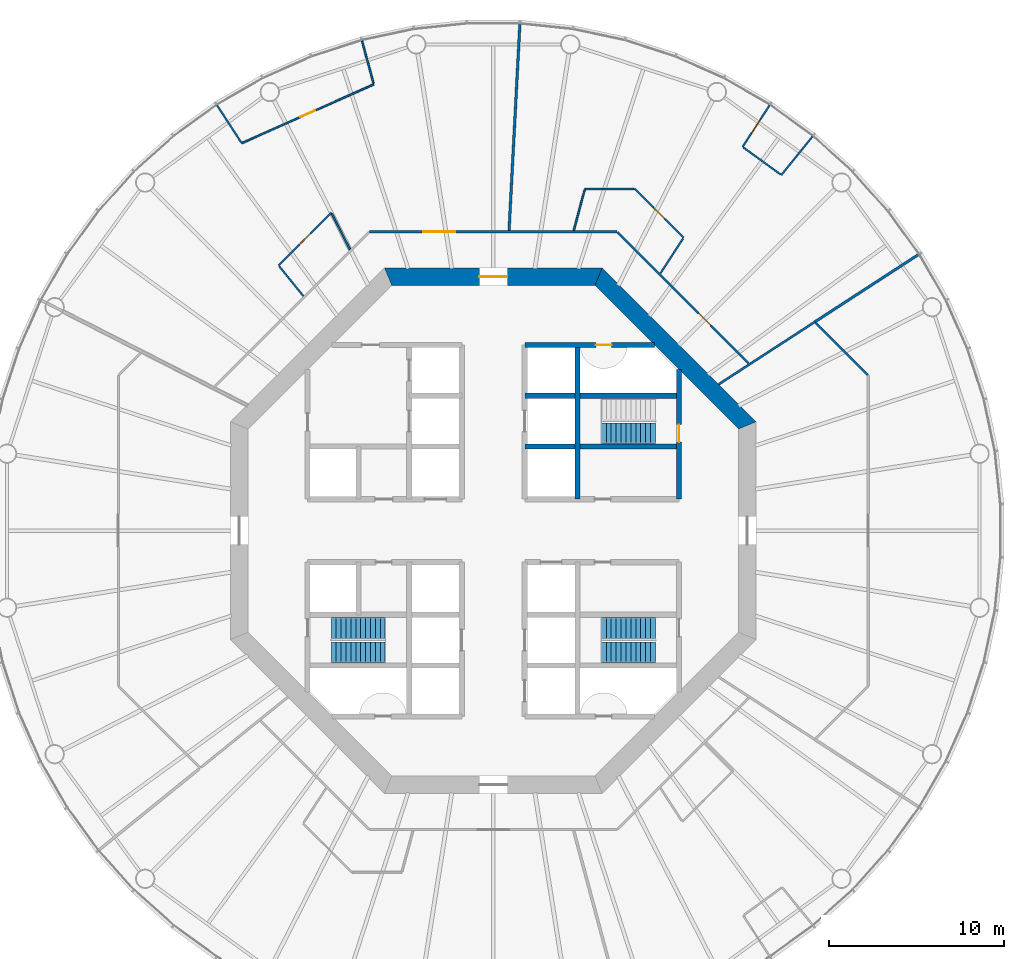
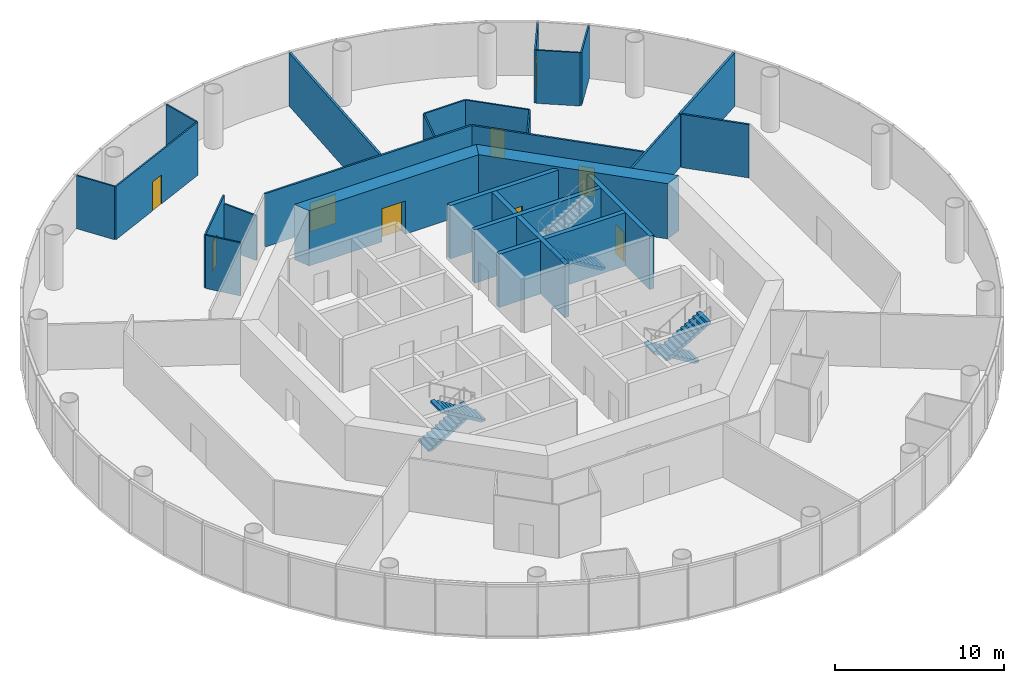
# One storey, part 5 of 13: 26 walls, 9 doors, 5 stair flights, 9 openings, 3 elements without a shape of their own.
"""IFC4 building model written with IfcOpenShell, lengths in metres."""

from ifc_helpers import new_model, si_unit, direction, frame, frame_2d, origin, place, context, subcontext, project, spatial, polyline, rectangle, outline, extrude, material, layer, layer_set, type_object, element, fill, aggregate, save


model = new_model("IFC4")

# Units and contexts
model_context = context("Model", 3, precision=1e-05, world=origin(), true_north=direction((0.0, 1.0)))
body_context = subcontext(model_context, "Body", "Model", "MODEL_VIEW")
ifc_project = project(units=[si_unit("LENGTHUNIT", "METRE"), si_unit("AREAUNIT", "SQUARE_METRE"), si_unit("VOLUMEUNIT", "CUBIC_METRE"), si_unit("PLANEANGLEUNIT", "RADIAN"), si_unit("MASSUNIT", "GRAM", prefix="KILO")], contexts=[model_context])

# Site, building, storey
site_placement = place(None, origin())
site = spatial("IfcSite", under=ifc_project, at=site_placement, CompositionType="ELEMENT")
building_placement = place(site_placement, origin())
building = spatial("IfcBuilding", under=site, at=building_placement, Name="Entoto Ring Tower", CompositionType="ELEMENT")
storey_placement = place(building_placement, frame((0.0, 0.0, 168.0)))
storey = spatial("IfcBuildingStorey", under=building, at=storey_placement, Name="L38", CompositionType="ELEMENT", Elevation=168.0)

# Wall, opening, door
ifc_material_1 = material(Name="Concrete C40/50", Category="concrete")
ifc_layer_1 = layer(ifc_material_1, 0.300048828125)
ifc_layer_set_1 = layer_set([ifc_layer_1], Name="Concrete C40/50")
wall_type_1 = type_object("IfcWallType", Name="Core enclosure wall 300 mm reinforced concrete", PredefinedType="SOLIDWALL", material=ifc_layer_set_1)
wall_1_placement = place(storey_placement, frame((100.60009765625, 81.800048828125, 0.0), z_axis=(0.0, 0.0, 1.0), x_axis=(0.0, 1.0, 0.0)))
wall_1 = element("IfcWall", 1, at=wall_1_placement, inside=storey, type_object=wall_type_1, Name="wall-L38-002", PredefinedType="SOLIDWALL", context=body_context, shape_type="SweptSolid", body=[
    extrude(rectangle(XDim=7.39892578125, YDim=0.300048828125, at=frame_2d((3.699462890625, 0.0))), origin(), (0.0, 0.0, 1.0), 3.85009765625),
])
opening_1_placement = place(wall_1_placement, frame((3.25, 0.0, 0.0)))
opening_1 = element("IfcOpeningElement", 2, at=opening_1_placement, cuts=wall_1, Name="Opening K-52", PredefinedType="OPENING", context=body_context, shape_type="SweptSolid", body=[
    extrude(rectangle(XDim=1.0, YDim=2.10009765625, at=frame_2d((0.5, 1.050048828125))), frame((0.0, 0.16015625, 0.0), z_axis=(0.0, -1.0, 0.0), x_axis=(1.0, 0.0, 0.0)), (0.0, 0.0, 1.0), 0.320068359375),
])
ifc_material_2 = material(Name="Steel door leaf, fire rated", Category="steel")
ifc_layer_2 = layer(ifc_material_2, 0.050048828125)
ifc_layer_set_2 = layer_set([ifc_layer_2], Name="Steel door leaf, fire rated")
door_type_1 = type_object("IfcDoorType", Name="Fire door FD60 1000 x 2100 single leaf", OperationType="NOTDEFINED", PredefinedType="DOOR", material=ifc_layer_set_2)
door_1_placement = place(opening_1_placement, origin())
door_1 = element("IfcDoor", 3, at=door_1_placement, inside=storey, type_object=door_type_1, Name="Door K-52", OperationType="SINGLE_SWING_LEFT", OverallHeight=2.10009765625, OverallWidth=1.0, PredefinedType="DOOR", context=body_context, shape_type="SweptSolid", body=[
    extrude(rectangle(XDim=1.0, YDim=2.10009765625, at=frame_2d((0.5, 1.050048828125))), frame((0.0, 0.02490234375, 0.0), z_axis=(0.0, -1.0, 0.0), x_axis=(1.0, 0.0, 0.0)), (0.0, 0.0, 1.0), 0.050048828125),
])
fill(opening_1, door_1)

# Walls
for number, where, z_axis, x_axis, name in (
    (4, (94.800048828125, 81.800048828125, 0.0), (0.0, 0.0, 1.0), (0.0, 1.0, 0.0), "wall-L38-004"),
    (5, (91.800048828125, 84.800048828125, 0.0), (0.0, 0.0, 1.0), (1.0, 0.0, 0.0), "wall-L38-026"),
    (6, (91.800048828125, 87.699951171875, 0.0), (0.0, 0.0, 1.0), (1.0, 0.0, 0.0), "wall-L38-028"),
):
    element("IfcWall", number, at=place(storey_placement, frame(where, z_axis=z_axis, x_axis=x_axis)), inside=storey, type_object=wall_type_1, Name=name, PredefinedType="SOLIDWALL", context=body_context, shape_type="SweptSolid", body=[
        extrude(rectangle(XDim=8.800048828125, YDim=0.300048828125, at=frame_2d((4.39990234375, 0.0))), origin(), (0.0, 0.0, 1.0), 3.85009765625),
    ])

# Wall, opening, door
wall_2_placement = place(storey_placement, frame((91.800048828125, 90.60009765625, 0.0), z_axis=(0.0, 0.0, 1.0), x_axis=(1.0, 0.0, 0.0)))
wall_2 = element("IfcWall", 7, at=wall_2_placement, inside=storey, type_object=wall_type_1, Name="wall-L38-030", PredefinedType="SOLIDWALL", context=body_context, shape_type="SweptSolid", body=[
    extrude(rectangle(XDim=7.39892578125, YDim=0.300048828125, at=frame_2d((3.699462890625, 0.0))), origin(), (0.0, 0.0, 1.0), 3.85009765625),
])
opening_2_placement = place(wall_2_placement, frame((4.050048828125, 0.0, 0.0)))
opening_2 = element("IfcOpeningElement", 8, at=opening_2_placement, cuts=wall_2, Name="Opening K-60", PredefinedType="OPENING", context=body_context, shape_type="SweptSolid", body=[
    extrude(rectangle(XDim=0.89990234375, YDim=2.10009765625, at=frame_2d((0.449951171875, 1.050048828125))), frame((0.0, 0.16015625, 0.0), z_axis=(0.0, -1.0, 0.0), x_axis=(1.0, 0.0, 0.0)), (0.0, 0.0, 1.0), 0.320068359375),
])
ifc_material_3 = material(Name="Steel door leaf, fire rated", Category="steel")
ifc_layer_3 = layer(ifc_material_3, 0.050048828125)
ifc_layer_set_3 = layer_set([ifc_layer_3], Name="Steel door leaf, fire rated")
door_type_2 = type_object("IfcDoorType", Name="Riser door FD60 900 x 2100 single leaf", OperationType="NOTDEFINED", PredefinedType="DOOR", material=ifc_layer_set_3)
door_2_placement = place(opening_2_placement, frame((0.89990234375, 0.0, 0.0), z_axis=(0.0, 0.0, 1.0), x_axis=(-1.0, 0.0, 0.0)))
door_2 = element("IfcDoor", 9, at=door_2_placement, inside=storey, type_object=door_type_2, Name="Door K-60", OperationType="SINGLE_SWING_RIGHT", OverallHeight=2.10009765625, OverallWidth=0.89990234375, PredefinedType="DOOR", context=body_context, shape_type="SweptSolid", body=[
    extrude(rectangle(XDim=0.89990234375, YDim=2.10009765625, at=frame_2d((0.449951171875, 1.050048828125))), frame((0.0, 0.02490234375, 0.0), z_axis=(0.0, -1.0, 0.0), x_axis=(1.0, 0.0, 0.0)), (0.0, 0.0, 1.0), 0.050048828125),
])
fill(opening_2, door_2)

# Wall
ifc_material_4 = material(Name="Concrete C50/60", Category="concrete")
ifc_layer_4 = layer(ifc_material_4, 1.0)
ifc_layer_set_4 = layer_set([ifc_layer_4], Name="Concrete C50/60")
wall_type_2 = type_object("IfcWallType", Name="Core shear wall 1000 mm reinforced concrete C50/60", PredefinedType="SHEAR", material=ifc_layer_set_4)
wall_3_placement = place(storey_placement, frame((104.5, 86.006103515625, 0.0), z_axis=(0.0, 0.0, 1.0), x_axis=(-0.707106781187, 0.707106781187, 0.0)))
element("IfcWall", 10, at=wall_3_placement, inside=storey, type_object=wall_type_2, Name="wall-L38-core-1", PredefinedType="SHEAR", context=body_context, shape_type="SweptSolid", body=[
    extrude(outline(polyline([(-0.20703125, -0.5), (12.21923828125, -0.5), (11.80517578125, 0.5), (0.20703125, 0.5), (-0.20703125, -0.5)])), origin(), (0.0, 0.0, 1.0), 4.0),
])

# Wall, opening, door
wall_4_placement = place(storey_placement, frame((96.006103515625, 94.5, 0.0), z_axis=(0.0, 0.0, 1.0), x_axis=(-1.0, 0.0, 0.0)))
wall_4 = element("IfcWall", 11, at=wall_4_placement, inside=storey, type_object=wall_type_2, Name="wall-L38-core-2", PredefinedType="SHEAR", context=body_context, shape_type="SweptSolid", body=[
    extrude(outline(polyline([(-0.20703125, -0.5), (12.21923828125, -0.5), (11.80517578125, 0.5), (0.20703125, 0.5), (-0.20703125, -0.5)])), origin(), (0.0, 0.0, 1.0), 4.0),
])
opening_3_placement = place(wall_4_placement, frame((5.2060546875, 0.0, 0.0)))
opening_3 = element("IfcOpeningElement", 12, at=opening_3_placement, cuts=wall_4, Name="Opening K-02", PredefinedType="OPENING", context=body_context, shape_type="SweptSolid", body=[
    extrude(rectangle(XDim=1.60009765625, YDim=2.39990234375, at=frame_2d((0.800048828125, 1.199951171875))), frame((0.0, 0.510009765625, 0.0), z_axis=(0.0, -1.0, 0.0), x_axis=(1.0, 0.0, 0.0)), (0.0, 0.0, 1.0), 1.02001953125),
])
ifc_material_5 = material(Name="Steel door leaf, fire rated", Category="steel")
ifc_layer_5 = layer(ifc_material_5, 0.050048828125)
ifc_layer_set_5 = layer_set([ifc_layer_5], Name="Steel door leaf, fire rated")
door_type_3 = type_object("IfcDoorType", Name="Entrance door FD60 1600 x 2400 double leaf", OperationType="DOUBLE_DOOR_SINGLE_SWING", PredefinedType="DOOR", material=ifc_layer_set_5)
door_3_placement = place(opening_3_placement, origin())
door_3 = element("IfcDoor", 13, at=door_3_placement, inside=storey, type_object=door_type_3, Name="Entrance door K-02", OperationType="DOUBLE_DOOR_SINGLE_SWING", OverallHeight=2.39990234375, OverallWidth=1.60009765625, PredefinedType="DOOR", context=body_context, shape_type="SweptSolid", body=[
    extrude(rectangle(XDim=1.60009765625, YDim=2.39990234375, at=frame_2d((0.800048828125, 1.199951171875))), frame((0.0, 0.02490234375, 0.0), z_axis=(0.0, -1.0, 0.0), x_axis=(1.0, 0.0, 0.0)), (0.0, 0.0, 1.0), 0.050048828125),
])
fill(opening_3, door_3)

ifc_material_6 = material(Name="Fire-resisting plasterboard on steel studs", Category="steel")
ifc_layer_6 = layer(ifc_material_6, 0.125)
ifc_layer_set_6 = layer_set([ifc_layer_6], Name="Fire-resisting plasterboard on steel studs")
wall_type_3 = type_object("IfcWallType", Name="Corridor wall 125 mm one-hour plasterboard on steel studs", PredefinedType="PARTITIONING", material=ifc_layer_set_6)
wall_5_placement = place(storey_placement, frame((82.9326171875, 97.0625, 0.0), z_axis=(0.0, 0.0, 1.0), x_axis=(1.0, 0.0, 0.0)))
wall_5 = element("IfcWall", 14, at=wall_5_placement, inside=storey, type_object=wall_type_3, Name="partition-L38-004", PredefinedType="PARTITIONING", context=body_context, shape_type="SweptSolid", body=[
    extrude(rectangle(XDim=14.134765625, YDim=0.125, at=frame_2d((7.0673828125, 0.0))), origin(), (0.0, 0.0, 1.0), 3.85009765625),
])
opening_4_placement = place(wall_5_placement, frame((3.080810546875, 0.0, 0.0)))
opening_4 = element("IfcOpeningElement", 15, at=opening_4_placement, cuts=wall_5, Name="Opening A17-D06", PredefinedType="OPENING", context=body_context, shape_type="SweptSolid", body=[
    extrude(rectangle(XDim=1.800048828125, YDim=2.10009765625, at=frame_2d((0.89990234375, 1.050048828125))), frame((0.0, 0.072509765625, 0.0), z_axis=(0.0, -1.0, 0.0), x_axis=(1.0, 0.0, 0.0)), (0.0, 0.0, 1.0), 0.14501953125),
])
ifc_material_7 = material(Name="Fire-resisting timber door set", Category="wood")
door_type_4 = type_object("IfcDoorType", Name="Door 1800 x 2100 double leaf FD30S fire door", OperationType="DOUBLE_DOOR_SINGLE_SWING", PredefinedType="DOOR", material=ifc_material_7)
door_4_placement = place(opening_4_placement, origin())
door_4 = element("IfcDoor", 16, at=door_4_placement, inside=storey, type_object=door_type_4, Name="Door A17-D06", OperationType="DOUBLE_DOOR_SINGLE_SWING", OverallHeight=2.10009765625, OverallWidth=1.800048828125, PredefinedType="DOOR", context=body_context, shape_type="SweptSolid", body=[
    extrude(rectangle(XDim=1.800048828125, YDim=2.10009765625, at=frame_2d((0.89990234375, 1.050048828125))), frame((0.0, 0.02490234375, 0.0), z_axis=(0.0, -1.0, 0.0), x_axis=(1.0, 0.0, 0.0)), (0.0, 0.0, 1.0), 0.050048828125),
])
fill(opening_4, door_4)

wall_6_placement = place(storey_placement, frame((104.574951171875, 89.554931640625, 0.0), z_axis=(0.0, 0.0, 1.0), x_axis=(-0.707095235926, 0.707118326258, 0.0)))
wall_6 = element("IfcWall", 17, at=wall_6_placement, inside=storey, type_object=wall_type_3, Name="partition-L38-007", PredefinedType="PARTITIONING", context=body_context, shape_type="SweptSolid", body=[
    extrude(rectangle(XDim=10.5732421875, YDim=0.125, at=frame_2d((5.28662109375, 0.0))), origin(), (0.0, 0.0, 1.0), 3.85009765625),
])
opening_5_placement = place(wall_6_placement, frame((3.0498046875, 0.0, 0.0)))
opening_5 = element("IfcOpeningElement", 18, at=opening_5_placement, cuts=wall_6, Name="Opening A17-D03", PredefinedType="OPENING", context=body_context, shape_type="SweptSolid", body=[
    extrude(rectangle(XDim=1.0, YDim=2.10009765625, at=frame_2d((0.5, 1.050048828125))), frame((0.0, 0.072509765625, 0.0), z_axis=(0.0, -1.0, 0.0), x_axis=(1.0, 0.0, 0.0)), (0.0, 0.0, 1.0), 0.14501953125),
])
ifc_material_8 = material(Name="Fire-resisting timber door set", Category="wood")
door_type_5 = type_object("IfcDoorType", Name="Door 1000 x 2100 single leaf FD30S fire door", OperationType="NOTDEFINED", PredefinedType="DOOR", material=ifc_material_8)
door_5_placement = place(opening_5_placement, frame((1.0, 0.0, 0.0), z_axis=(0.0, 0.0, 1.0), x_axis=(-1.0, 0.0, 0.0)))
door_5 = element("IfcDoor", 19, at=door_5_placement, inside=storey, type_object=door_type_5, Name="Door A17-D03", OperationType="SINGLE_SWING_LEFT", OverallHeight=2.10009765625, OverallWidth=1.0, PredefinedType="DOOR", context=body_context, shape_type="SweptSolid", body=[
    extrude(rectangle(XDim=1.0, YDim=2.10009765625, at=frame_2d((0.5, 1.050048828125))), frame((0.0, 0.02490234375, 0.0), z_axis=(0.0, -1.0, 0.0), x_axis=(1.0, 0.0, 0.0)), (0.0, 0.0, 1.0), 0.050048828125),
])
fill(opening_5, door_5)

# Walls
wall_7_placement = place(storey_placement, frame((102.861083984375, 88.35205078125, 0.0), z_axis=(0.0, 0.0, 1.0), x_axis=(0.838666042477, 0.544646003561, 0.0)))
element("IfcWall", 20, at=wall_7_placement, inside=storey, type_object=wall_type_3, Name="partition-L38-011", PredefinedType="PARTITIONING", context=body_context, shape_type="SweptSolid", body=[
    extrude(rectangle(XDim=6.543212890625, YDim=0.125, at=frame_2d((3.271484375, 0.0))), origin(), (0.0, 0.0, 1.0), 3.85009765625),
])
wall_8_placement = place(storey_placement, frame((111.368896484375, 88.895263671875, 0.0), z_axis=(0.0, 0.0, 1.0), x_axis=(-0.707106781187, 0.707106781187, 0.0)))
element("IfcWall", 21, at=wall_8_placement, inside=storey, type_object=wall_type_3, Name="partition-L38-015", PredefinedType="PARTITIONING", context=body_context, shape_type="SweptSolid", body=[
    extrude(rectangle(XDim=4.181640625, YDim=0.125, at=frame_2d((2.0908203125, 0.0))), origin(), (0.0, 0.0, 1.0), 3.85009765625),
])

# Wall, opening, door
ifc_material_9 = material(Name="Plasterboard on steel studs", Category="steel")
ifc_layer_7 = layer(ifc_material_9, 0.10009765625)
ifc_layer_set_7 = layer_set([ifc_layer_7], Name="Plasterboard on steel studs")
wall_type_4 = type_object("IfcWallType", Name="Partition 100 mm plasterboard on steel studs", PredefinedType="PARTITIONING", material=ifc_layer_set_7)
wall_9_placement = place(storey_placement, frame((75.637939453125, 102.11572265625, 0.0), z_axis=(0.0, 0.0, 1.0), x_axis=(0.913541661289, 0.40674516972, 0.0)))
wall_9 = element("IfcWall", 22, at=wall_9_placement, inside=storey, type_object=wall_type_4, Name="partition-L38-023", PredefinedType="PARTITIONING", context=body_context, shape_type="SweptSolid", body=[
    extrude(rectangle(XDim=8.250244140625, YDim=0.10009765625, at=frame_2d((4.125, 0.0))), origin(), (0.0, 0.0, 1.0), 3.85009765625),
])
opening_6_placement = place(wall_9_placement, frame((3.67529296875, 0.0, 0.0)))
opening_6 = element("IfcOpeningElement", 23, at=opening_6_placement, cuts=wall_9, Name="Opening A17-D08", PredefinedType="OPENING", context=body_context, shape_type="SweptSolid", body=[
    extrude(rectangle(XDim=0.89990234375, YDim=2.10009765625, at=frame_2d((0.449951171875, 1.050048828125))), frame((0.0, 0.06005859375, 0.0), z_axis=(0.0, -1.0, 0.0), x_axis=(1.0, 0.0, 0.0)), (0.0, 0.0, 1.0), 0.1201171875),
])
ifc_material_10 = material(Name="Veneered timber door leaf in timber frame", Category="wood")
door_type_6 = type_object("IfcDoorType", Name="Door 900 x 2100 single leaf timber veneer", OperationType="NOTDEFINED", PredefinedType="DOOR", material=ifc_material_10)
door_6_placement = place(opening_6_placement, origin())
door_6 = element("IfcDoor", 24, at=door_6_placement, inside=storey, type_object=door_type_6, Name="Door A17-D08", OperationType="SINGLE_SWING_RIGHT", OverallHeight=2.10009765625, OverallWidth=0.89990234375, PredefinedType="DOOR", context=body_context, shape_type="SweptSolid", body=[
    extrude(rectangle(XDim=0.89990234375, YDim=2.10009765625, at=frame_2d((0.449951171875, 1.050048828125))), frame((0.0, 0.02490234375, 0.0), z_axis=(0.0, -1.0, 0.0), x_axis=(1.0, 0.0, 0.0)), (0.0, 0.0, 1.0), 0.050048828125),
])
fill(opening_6, door_6)

wall_10_placement = place(storey_placement, frame((77.7412109375, 95.13818359375, 0.0), z_axis=(0.0, 0.0, 1.0), x_axis=(0.707106781187, 0.707106781187, 0.0)))
wall_10 = element("IfcWall", 25, at=wall_10_placement, inside=storey, type_object=wall_type_4, Name="partition-L38-024", PredefinedType="PARTITIONING", context=body_context, shape_type="SweptSolid", body=[
    extrude(rectangle(XDim=4.258544921875, YDim=0.10009765625, at=frame_2d((2.12939453125, 0.0))), origin(), (0.0, 0.0, 1.0), 3.85009765625),
])
opening_7_placement = place(wall_10_placement, frame((1.67919921875, 0.0, 0.0)))
opening_7 = element("IfcOpeningElement", 26, at=opening_7_placement, cuts=wall_10, Name="Opening A17-D07", PredefinedType="OPENING", context=body_context, shape_type="SweptSolid", body=[
    extrude(rectangle(XDim=0.89990234375, YDim=2.10009765625, at=frame_2d((0.449951171875, 1.050048828125))), frame((0.0, 0.06005859375, 0.0), z_axis=(0.0, -1.0, 0.0), x_axis=(1.0, 0.0, 0.0)), (0.0, 0.0, 1.0), 0.1201171875),
])
door_7_placement = place(opening_7_placement, frame((0.89990234375, 0.0, 0.0), z_axis=(0.0, 0.0, 1.0), x_axis=(-1.0, 0.0, 0.0)))
door_7 = element("IfcDoor", 27, at=door_7_placement, inside=storey, type_object=door_type_6, Name="Door A17-D07", OperationType="SINGLE_SWING_LEFT", OverallHeight=2.10009765625, OverallWidth=0.89990234375, PredefinedType="DOOR", context=body_context, shape_type="SweptSolid", body=[
    extrude(rectangle(XDim=0.89990234375, YDim=2.10009765625, at=frame_2d((0.449951171875, 1.050048828125))), frame((0.0, 0.02490234375, 0.0), z_axis=(0.0, -1.0, 0.0), x_axis=(1.0, 0.0, 0.0)), (0.0, 0.0, 1.0), 0.050048828125),
])
fill(opening_7, door_7)

wall_11_placement = place(storey_placement, frame((100.859130859375, 96.7216796875, 0.0), z_axis=(0.0, 0.0, 1.0), x_axis=(-0.707137819827, 0.707075741184, 0.0)))
wall_11 = element("IfcWall", 28, at=wall_11_placement, inside=storey, type_object=wall_type_4, Name="partition-L38-026", PredefinedType="PARTITIONING", context=body_context, shape_type="SweptSolid", body=[
    extrude(rectangle(XDim=3.932861328125, YDim=0.10009765625, at=frame_2d((1.96630859375, 0.0))), origin(), (0.0, 0.0, 1.0), 3.85009765625),
])
opening_8_placement = place(wall_11_placement, frame((1.516357421875, 0.0, 0.0)))
opening_8 = element("IfcOpeningElement", 29, at=opening_8_placement, cuts=wall_11, Name="Opening A17-D04", PredefinedType="OPENING", context=body_context, shape_type="SweptSolid", body=[
    extrude(rectangle(XDim=0.89990234375, YDim=2.10009765625, at=frame_2d((0.449951171875, 1.050048828125))), frame((0.0, 0.06005859375, 0.0), z_axis=(0.0, -1.0, 0.0), x_axis=(1.0, 0.0, 0.0)), (0.0, 0.0, 1.0), 0.1201171875),
])
door_8_placement = place(opening_8_placement, origin())
door_8 = element("IfcDoor", 30, at=door_8_placement, inside=storey, type_object=door_type_6, Name="Door A17-D04", OperationType="SINGLE_SWING_LEFT", OverallHeight=2.10009765625, OverallWidth=0.89990234375, PredefinedType="DOOR", context=body_context, shape_type="SweptSolid", body=[
    extrude(rectangle(XDim=0.89990234375, YDim=2.10009765625, at=frame_2d((0.449951171875, 1.050048828125))), frame((0.0, 0.02490234375, 0.0), z_axis=(0.0, -1.0, 0.0), x_axis=(1.0, 0.0, 0.0)), (0.0, 0.0, 1.0), 0.050048828125),
])
fill(opening_8, door_8)

# Wall
wall_12_placement = place(storey_placement, frame((95.2255859375, 99.50244140625, 0.0), z_axis=(0.0, 0.0, 1.0), x_axis=(1.0, 0.0, 0.0)))
element("IfcWall", 31, at=wall_12_placement, inside=storey, type_object=wall_type_4, Name="partition-L38-028", PredefinedType="PARTITIONING", context=body_context, shape_type="SweptSolid", body=[
    extrude(rectangle(XDim=2.817626953125, YDim=0.10009765625, at=frame_2d((1.40869140625, 0.0))), origin(), (0.0, 0.0, 1.0), 3.85009765625),
])

# Wall, opening, door
wall_13_placement = place(storey_placement, frame((104.22607421875, 101.906005859375, 0.0), z_axis=(0.0, 0.0, 1.0), x_axis=(0.544650522467, 0.838663107795, 0.0)))
wall_13 = element("IfcWall", 32, at=wall_13_placement, inside=storey, type_object=wall_type_4, Name="partition-L38-030", PredefinedType="PARTITIONING", context=body_context, shape_type="SweptSolid", body=[
    extrude(rectangle(XDim=2.820068359375, YDim=0.10009765625, at=frame_2d((1.41015625, 0.0))), origin(), (0.0, 0.0, 1.0), 3.85009765625),
])
opening_9_placement = place(wall_13_placement, frame((0.9599609375, 0.0, 0.0)))
opening_9 = element("IfcOpeningElement", 33, at=opening_9_placement, cuts=wall_13, Name="Opening A17-D05", PredefinedType="OPENING", context=body_context, shape_type="SweptSolid", body=[
    extrude(rectangle(XDim=0.89990234375, YDim=2.10009765625, at=frame_2d((0.449951171875, 1.050048828125))), frame((0.0, 0.06005859375, 0.0), z_axis=(0.0, -1.0, 0.0), x_axis=(1.0, 0.0, 0.0)), (0.0, 0.0, 1.0), 0.1201171875),
])
door_9_placement = place(opening_9_placement, frame((0.89990234375, 0.0, 0.0), z_axis=(0.0, 0.0, 1.0), x_axis=(-1.0, 0.0, 0.0)))
door_9 = element("IfcDoor", 34, at=door_9_placement, inside=storey, type_object=door_type_6, Name="Door A17-D05", OperationType="SINGLE_SWING_LEFT", OverallHeight=2.10009765625, OverallWidth=0.89990234375, PredefinedType="DOOR", context=body_context, shape_type="SweptSolid", body=[
    extrude(rectangle(XDim=0.89990234375, YDim=2.10009765625, at=frame_2d((0.449951171875, 1.050048828125))), frame((0.0, 0.02490234375, 0.0), z_axis=(0.0, -1.0, 0.0), x_axis=(1.0, 0.0, 0.0)), (0.0, 0.0, 1.0), 0.050048828125),
])
fill(opening_9, door_9)

# Walls
wall_14_placement = place(storey_placement, frame((106.437744140625, 100.299072265625, 0.0), z_axis=(0.0, 0.0, 1.0), x_axis=(0.629340183433, 0.777129933484, 0.0)))
element("IfcWall", 35, at=wall_14_placement, inside=storey, type_object=wall_type_4, Name="partition-L38-031", PredefinedType="PARTITIONING", context=body_context, shape_type="SweptSolid", body=[
    extrude(rectangle(XDim=2.81982421875, YDim=0.10009765625, at=frame_2d((1.409912109375, 0.0))), origin(), (0.0, 0.0, 1.0), 3.85009765625),
])
wall_15_placement = place(storey_placement, frame((106.3974609375, 100.328369140625, 0.0), z_axis=(0.0, 0.0, 1.0), x_axis=(-0.809016541614, 0.587785875463, 0.0)))
element("IfcWall", 36, at=wall_15_placement, inside=storey, type_object=wall_type_4, Name="partition-L38-036", PredefinedType="PARTITIONING", context=body_context, shape_type="SweptSolid", body=[
    extrude(rectangle(XDim=2.63427734375, YDim=0.10009765625, at=frame_2d((1.317138671875, 0.0))), origin(), (0.0, 0.0, 1.0), 3.85009765625),
])
for number, where, z_axis, x_axis, name in (
    (37, (75.611083984375, 102.156982421875, 0.0), (0.0, 0.0, 1.0), (-0.544692145423, 0.838636075252, 0.0), "partition-L38-039"),
    (38, (83.162109375, 105.51904296875, 0.0), (0.0, 0.0, 1.0), (-0.258795794032, 0.965932056095, 0.0), "partition-L38-040"),
):
    element("IfcWall", number, at=place(storey_placement, frame(where, z_axis=z_axis, x_axis=x_axis)), inside=storey, type_object=wall_type_4, Name=name, PredefinedType="PARTITIONING", context=body_context, shape_type="SweptSolid", body=[
        extrude(rectangle(XDim=2.520751953125, YDim=0.10009765625, at=frame_2d((1.26025390625, 0.0))), origin(), (0.0, 0.0, 1.0), 3.85009765625),
    ])
wall_16_placement = place(storey_placement, frame((94.592041015625, 97.1376953125, 0.0), z_axis=(0.0, 0.0, 1.0), x_axis=(0.258776761059, 0.965937155273, 0.0)))
element("IfcWall", 39, at=wall_16_placement, inside=storey, type_object=wall_type_4, Name="partition-L38-041", PredefinedType="PARTITIONING", context=body_context, shape_type="SweptSolid", body=[
    extrude(rectangle(XDim=2.400146484375, YDim=0.10009765625, at=frame_2d((1.2001953125, 0.0))), origin(), (0.0, 0.0, 1.0), 3.85009765625),
])
wall_17_placement = place(storey_placement, frame((99.541015625, 94.69189453125, 0.0), z_axis=(0.0, 0.0, 1.0), x_axis=(0.544633657849, 0.838674059893, 0.0)))
element("IfcWall", 40, at=wall_17_placement, inside=storey, type_object=wall_type_4, Name="partition-L38-043", PredefinedType="PARTITIONING", context=body_context, shape_type="SweptSolid", body=[
    extrude(rectangle(XDim=2.371337890625, YDim=0.10009765625, at=frame_2d((1.185546875, 0.0))), origin(), (0.0, 0.0, 1.0), 3.85009765625),
])
wall_18_placement = place(storey_placement, frame((79.16015625, 93.385986328125, 0.0), z_axis=(0.0, 0.0, 1.0), x_axis=(-0.629261932539, 0.777193296585, 0.0)))
element("IfcWall", 41, at=wall_18_placement, inside=storey, type_object=wall_type_4, Name="partition-L38-047", PredefinedType="PARTITIONING", context=body_context, shape_type="SweptSolid", body=[
    extrude(rectangle(XDim=2.204833984375, YDim=0.10009765625, at=frame_2d((1.1025390625, 0.0))), origin(), (0.0, 0.0, 1.0), 3.85009765625),
])
ifc_material_11 = material(Name="Plasterboard on steel studs", Category="steel")
ifc_layer_8 = layer(ifc_material_11, 0.10009765625)
ifc_layer_set_8 = layer_set([ifc_layer_8], Name="Plasterboard on steel studs")
wall_type_5 = type_object("IfcWallType", Name="Partition 100 mm plasterboard on steel studs, 3250 mm high", PredefinedType="PARTITIONING", material=ifc_layer_set_8)
wall_19_placement = place(storey_placement, frame((81.818115234375, 96.05810546875, 0.0), z_axis=(0.0, 0.0, 1.0), x_axis=(-0.454015670572, 0.890993698561, 0.0)))
element("IfcWall", 42, at=wall_19_placement, inside=storey, type_object=wall_type_5, Name="partition-L38-045", PredefinedType="PARTITIONING", context=body_context, shape_type="SweptSolid", body=[
    extrude(rectangle(XDim=2.2783203125, YDim=0.10009765625, at=frame_2d((1.13916015625, 0.0))), origin(), (0.0, 0.0, 1.0), 3.25),
])
ifc_material_12 = material(Name="Fire-resisting acoustic plasterboard on steel studs", Category="steel")
ifc_layer_9 = layer(ifc_material_12, 0.14990234375)
ifc_layer_set_9 = layer_set([ifc_layer_9], Name="Fire-resisting acoustic plasterboard on steel studs")
wall_type_6 = type_object("IfcWallType", Name="Party wall 150 mm one-hour acoustic plasterboard on steel studs", PredefinedType="PARTITIONING", material=ifc_layer_set_9)
wall_20_placement = place(storey_placement, frame((90.897705078125, 97.12890625, 0.0), z_axis=(0.0, 0.0, 1.0), x_axis=(0.052338156275, 0.998629419453, 0.0)))
element("IfcWall", 43, at=wall_20_placement, inside=storey, type_object=wall_type_6, Name="partition-L38-017", PredefinedType="PARTITIONING", context=body_context, shape_type="SweptSolid", body=[
    extrude(rectangle(XDim=11.78759765625, YDim=0.14990234375, at=frame_2d((5.893798828125, 0.0))), origin(), (0.0, 0.0, 1.0), 3.85009765625),
])
wall_21_placement = place(storey_placement, frame((108.35107421875, 91.917236328125, 0.0), z_axis=(0.0, 0.0, 1.0), x_axis=(0.83865216768, 0.544667367891, 0.0)))
element("IfcWall", 44, at=wall_21_placement, inside=storey, type_object=wall_type_6, Name="partition-L38-021", PredefinedType="PARTITIONING", context=body_context, shape_type="SweptSolid", body=[
    extrude(rectangle(XDim=7.058837890625, YDim=0.14990234375, at=frame_2d((3.529296875, 0.0))), origin(), (0.0, 0.0, 1.0), 3.85009765625),
])

# Stair, stair flight
ifc_material_13 = material(Name="Concrete C40/50", Category="concrete")
stair_type = type_object("IfcStairType", Name="Exit stair 1200 mm dog-leg reinforced concrete", PredefinedType="HALF_TURN_STAIR", material=ifc_material_13)
stair_1_placement = place(storey_placement, origin())
stair_1 = element("IfcStair", 45, at=stair_1_placement, inside=storey, type_object=stair_type, Name="Exit stair 1", PredefinedType="HALF_TURN_STAIR")
ifc_material_14 = material(Name="Concrete C40/50", Category="concrete")
stair_flight_type = type_object("IfcStairFlightType", Name="Stair flight 1200 mm reinforced concrete", PredefinedType="STRAIGHT", material=ifc_material_14)
stair_flight_1_placement = place(storey_placement, frame((99.25, 85.550048828125, 0.0), z_axis=(0.0, 0.0, 1.0), x_axis=(-1.0, 0.0, 0.0)))
stair_flight_1 = element("IfcStairFlight", 46, at=stair_flight_1_placement, type_object=stair_flight_type, Name="ST1 flight 1", NumberOfRisers=12, NumberOfTreads=11, PredefinedType="STRAIGHT", RiserHeight=0.166666667, TreadLength=0.28, context=body_context, shape_type="SweptSolid", body=[
    extrude(outline(polyline([(0.0, 0.0), (0.0, 0.166748046875), (0.280029296875, 0.166748046875), (0.280029296875, 0.333251953125), (0.56005859375, 0.333251953125), (0.56005859375, 0.5), (0.840087890625, 0.5), (0.840087890625, 0.666748046875), (1.1201171875, 0.666748046875), (1.1201171875, 0.833251953125), (1.39990234375, 0.833251953125), (1.39990234375, 1.0), (1.679931640625, 1.0), (1.679931640625, 1.166748046875), (1.9599609375, 1.166748046875), (1.9599609375, 1.333251953125), (2.239990234375, 1.333251953125), (2.239990234375, 1.5), (2.52001953125, 1.5), (2.52001953125, 1.666748046875), (2.800048828125, 1.666748046875), (2.800048828125, 1.833251953125), (3.080078125, 1.833251953125), (3.080078125, 2.0), (3.080078125, 1.658935546875), (0.29296875, 0.0), (0.0, 0.0)])), frame((0.0, 0.60009765625, 0.0), z_axis=(0.0, -1.0, 0.0), x_axis=(1.0, 0.0, 0.0)), (0.0, 0.0, 1.0), 1.199951171875),
])
aggregate(stair_1, [stair_flight_1])

# Stair, stair flights
stair_2_placement = place(storey_placement, origin())
stair_2 = element("IfcStair", 47, at=stair_2_placement, inside=storey, type_object=stair_type, Name="Exit stair 2", PredefinedType="HALF_TURN_STAIR")
stair_flight_2_placement = place(storey_placement, frame((80.75, 74.449951171875, 0.0), z_axis=(0.0, 0.0, 1.0), x_axis=(1.0, 0.0, 0.0)))
stair_flight_2 = element("IfcStairFlight", 48, at=stair_flight_2_placement, type_object=stair_flight_type, Name="ST2 flight 1", NumberOfRisers=12, NumberOfTreads=11, PredefinedType="STRAIGHT", RiserHeight=0.166666667, TreadLength=0.28, context=body_context, shape_type="SweptSolid", body=[
    extrude(outline(polyline([(0.0, 0.0), (0.0, 0.166748046875), (0.280029296875, 0.166748046875), (0.280029296875, 0.333251953125), (0.56005859375, 0.333251953125), (0.56005859375, 0.5), (0.840087890625, 0.5), (0.840087890625, 0.666748046875), (1.1201171875, 0.666748046875), (1.1201171875, 0.833251953125), (1.39990234375, 0.833251953125), (1.39990234375, 1.0), (1.679931640625, 1.0), (1.679931640625, 1.166748046875), (1.9599609375, 1.166748046875), (1.9599609375, 1.333251953125), (2.239990234375, 1.333251953125), (2.239990234375, 1.5), (2.52001953125, 1.5), (2.52001953125, 1.666748046875), (2.800048828125, 1.666748046875), (2.800048828125, 1.833251953125), (3.080078125, 1.833251953125), (3.080078125, 2.0), (3.080078125, 1.658935546875), (0.29296875, 0.0), (0.0, 0.0)])), frame((0.0, 0.60009765625, 0.0), z_axis=(0.0, -1.0, 0.0), x_axis=(1.0, 0.0, 0.0)), (0.0, 0.0, 1.0), 1.199951171875),
])
stair_flight_3_placement = place(storey_placement, frame((83.830078125, 73.050048828125, 2.0), z_axis=(0.0, 0.0, 1.0), x_axis=(-1.0, 0.0, 0.0)))
stair_flight_3 = element("IfcStairFlight", 49, at=stair_flight_3_placement, type_object=stair_flight_type, Name="ST2 flight 2", NumberOfRisers=12, NumberOfTreads=11, PredefinedType="STRAIGHT", RiserHeight=0.166666667, TreadLength=0.28, context=body_context, shape_type="SweptSolid", body=[
    extrude(outline(polyline([(0.0, 0.0), (0.0, 0.166748046875), (0.280029296875, 0.166748046875), (0.280029296875, 0.333251953125), (0.56005859375, 0.333251953125), (0.56005859375, 0.5), (0.840087890625, 0.5), (0.840087890625, 0.666748046875), (1.1201171875, 0.666748046875), (1.1201171875, 0.833251953125), (1.39990234375, 0.833251953125), (1.39990234375, 1.0), (1.679931640625, 1.0), (1.679931640625, 1.166748046875), (1.9599609375, 1.166748046875), (1.9599609375, 1.333251953125), (2.239990234375, 1.333251953125), (2.239990234375, 1.5), (2.52001953125, 1.5), (2.52001953125, 1.666748046875), (2.800048828125, 1.666748046875), (2.800048828125, 1.833251953125), (3.080078125, 1.833251953125), (3.080078125, 2.0), (3.080078125, 1.658935546875), (0.29296875, 0.0), (0.0, 0.0)])), frame((0.0, 0.60009765625, 0.0), z_axis=(0.0, -1.0, 0.0), x_axis=(1.0, 0.0, 0.0)), (0.0, 0.0, 1.0), 1.199951171875),
])
aggregate(stair_2, [stair_flight_2, stair_flight_3])

stair_3_placement = place(storey_placement, origin())
stair_3 = element("IfcStair", 50, at=stair_3_placement, inside=storey, type_object=stair_type, Name="Exit stair 3", PredefinedType="HALF_TURN_STAIR")
stair_flight_4_placement = place(storey_placement, frame((99.25, 74.449951171875, 0.0), z_axis=(0.0, 0.0, 1.0), x_axis=(-1.0, 0.0, 0.0)))
stair_flight_4 = element("IfcStairFlight", 51, at=stair_flight_4_placement, type_object=stair_flight_type, Name="ST3 flight 1", NumberOfRisers=12, NumberOfTreads=11, PredefinedType="STRAIGHT", RiserHeight=0.166666667, TreadLength=0.28, context=body_context, shape_type="SweptSolid", body=[
    extrude(outline(polyline([(0.0, 0.0), (0.0, 0.166748046875), (0.280029296875, 0.166748046875), (0.280029296875, 0.333251953125), (0.56005859375, 0.333251953125), (0.56005859375, 0.5), (0.840087890625, 0.5), (0.840087890625, 0.666748046875), (1.1201171875, 0.666748046875), (1.1201171875, 0.833251953125), (1.39990234375, 0.833251953125), (1.39990234375, 1.0), (1.679931640625, 1.0), (1.679931640625, 1.166748046875), (1.9599609375, 1.166748046875), (1.9599609375, 1.333251953125), (2.239990234375, 1.333251953125), (2.239990234375, 1.5), (2.52001953125, 1.5), (2.52001953125, 1.666748046875), (2.800048828125, 1.666748046875), (2.800048828125, 1.833251953125), (3.080078125, 1.833251953125), (3.080078125, 2.0), (3.080078125, 1.658935546875), (0.29296875, 0.0), (0.0, 0.0)])), frame((0.0, 0.60009765625, 0.0), z_axis=(0.0, -1.0, 0.0), x_axis=(1.0, 0.0, 0.0)), (0.0, 0.0, 1.0), 1.199951171875),
])
stair_flight_5_placement = place(storey_placement, frame((96.169921875, 73.050048828125, 2.0), z_axis=(0.0, 0.0, 1.0), x_axis=(1.0, 0.0, 0.0)))
stair_flight_5 = element("IfcStairFlight", 52, at=stair_flight_5_placement, type_object=stair_flight_type, Name="ST3 flight 2", NumberOfRisers=12, NumberOfTreads=11, PredefinedType="STRAIGHT", RiserHeight=0.166666667, TreadLength=0.28, context=body_context, shape_type="SweptSolid", body=[
    extrude(outline(polyline([(0.0, 0.0), (0.0, 0.166748046875), (0.280029296875, 0.166748046875), (0.280029296875, 0.333251953125), (0.56005859375, 0.333251953125), (0.56005859375, 0.5), (0.840087890625, 0.5), (0.840087890625, 0.666748046875), (1.1201171875, 0.666748046875), (1.1201171875, 0.833251953125), (1.39990234375, 0.833251953125), (1.39990234375, 1.0), (1.679931640625, 1.0), (1.679931640625, 1.166748046875), (1.9599609375, 1.166748046875), (1.9599609375, 1.333251953125), (2.239990234375, 1.333251953125), (2.239990234375, 1.5), (2.52001953125, 1.5), (2.52001953125, 1.666748046875), (2.800048828125, 1.666748046875), (2.800048828125, 1.833251953125), (3.080078125, 1.833251953125), (3.080078125, 2.0), (3.080078125, 1.658935546875), (0.29296875, 0.0), (0.0, 0.0)])), frame((0.0, 0.60009765625, 0.0), z_axis=(0.0, -1.0, 0.0), x_axis=(1.0, 0.0, 0.0)), (0.0, 0.0, 1.0), 1.199951171875),
])
aggregate(stair_3, [stair_flight_4, stair_flight_5])

save(model, "model.ifc")
